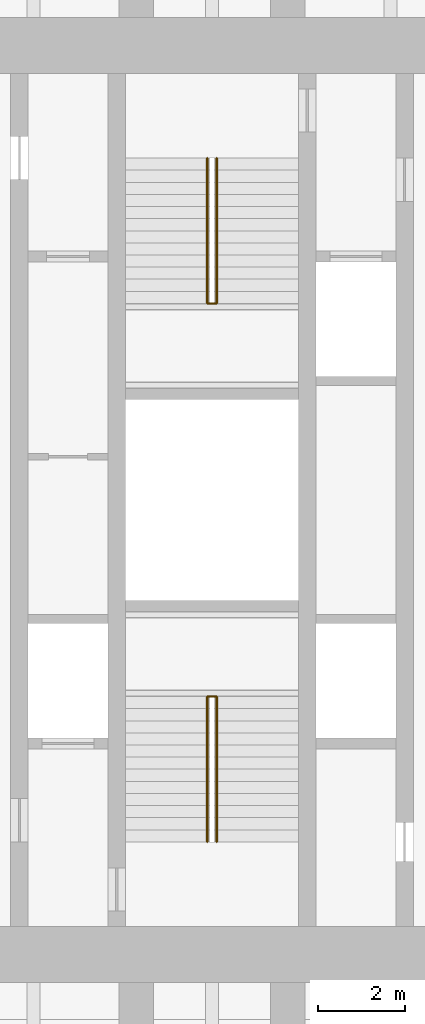
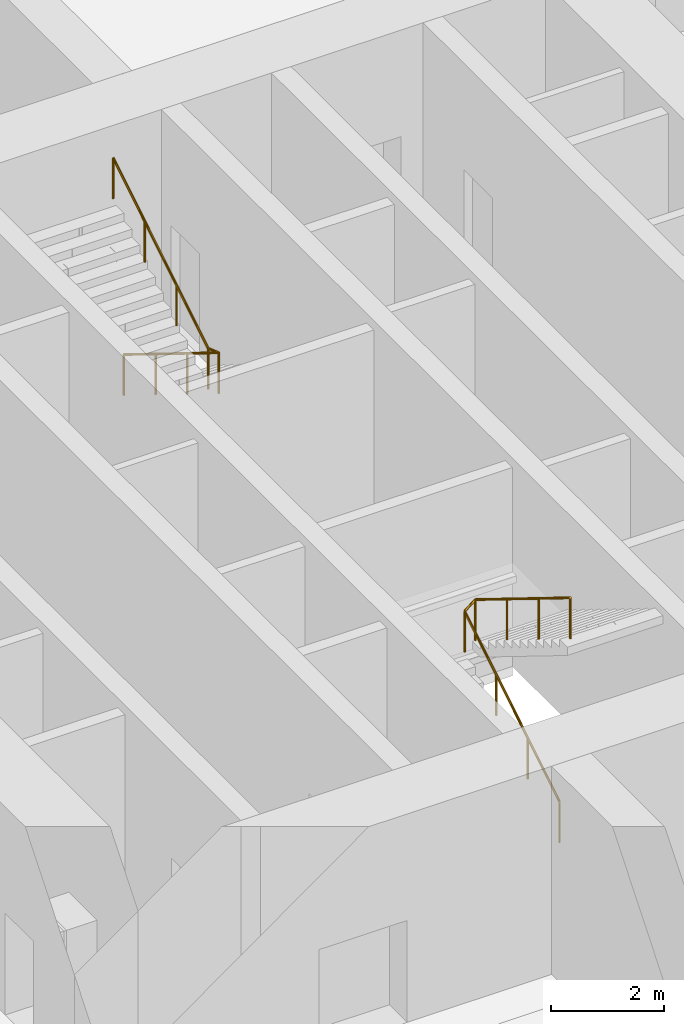
# One storey, part 21 of 21: 2 railings.
"""IFC4 building model written with IfcOpenShell, lengths in metres."""

from ifc_helpers import new_model, si_unit, direction, frame, origin, origin_2d, place, context, subcontext, project, spatial, circle, extrude, material, type_object, element, save


model = new_model("IFC4")

# Units and contexts
model_context = context("Model", 3, precision=1e-05, world=origin(), true_north=direction((0.0, 1.0)))
body_context = subcontext(model_context, "Body", "Model", "MODEL_VIEW")
ifc_project = project(units=[si_unit("LENGTHUNIT", "METRE"), si_unit("AREAUNIT", "SQUARE_METRE"), si_unit("VOLUMEUNIT", "CUBIC_METRE"), si_unit("PLANEANGLEUNIT", "RADIAN"), si_unit("MASSUNIT", "GRAM", prefix="KILO")], contexts=[model_context])

# Site, building, storey
site_placement = place(None, origin())
site = spatial("IfcSite", under=ifc_project, at=site_placement, CompositionType="ELEMENT")
building_placement = place(site_placement, origin())
building = spatial("IfcBuilding", under=site, at=building_placement, Name="Mizan Broadcast Tower", CompositionType="ELEMENT")
storey_placement = place(building_placement, frame((0.0, 0.0, 33.0)))
storey = spatial("IfcBuildingStorey", under=building, at=storey_placement, Name="L05", CompositionType="ELEMENT", Elevation=33.0)

# Railings
ifc_material = material(Name="Stainless steel", Category="steel")
railing_type = type_object("IfcRailingType", Name="HANDRAIL 50", PredefinedType="HANDRAIL", material=ifc_material)
railing_1_placement = place(storey_placement, frame((-0.110107421875, -7.89990234375, 0.173095703125)))
element("IfcRailing", 1, at=railing_1_placement, inside=storey, type_object=railing_type, Name="Stair A handrail", PredefinedType="HANDRAIL", context=body_context, shape_type="SweptSolid", body=[
    extrude(circle(Radius=0.02392578125, at=origin_2d()), frame((0.0, 0.0, 0.8759765625), z_axis=(0.0, 0.850606129759, 0.525803396734), x_axis=(-1.0, 0.0, 0.0)), (0.0, 0.0, 1.0), 3.949951171875),
    extrude(circle(Radius=0.02392578125, at=origin_2d()), frame((0.0, 3.35986328125, 2.95263671875), z_axis=(0.786197342391, 0.0, 0.617975516358), x_axis=(0.0, 1.0, 0.0)), (0.0, 0.0, 1.0), 0.280029296875),
    extrude(circle(Radius=0.02392578125, at=origin_2d()), frame((0.22021484375, 3.35986328125, 3.1259765625), z_axis=(0.0, -0.850606129759, 0.525803396734), x_axis=(1.0, 0.0, 0.0)), (0.0, 0.0, 1.0), 3.949951171875),
    extrude(circle(Radius=0.02099609375, at=origin_2d()), origin(), (0.0, 0.0, 1.0), 0.851806640625),
    extrude(circle(Radius=0.02099609375, at=origin_2d()), frame((0.0, 1.119873046875, 0.6923828125)), (0.0, 0.0, 1.0), 0.851806640625),
    extrude(circle(Radius=0.02099609375, at=origin_2d()), frame((0.0, 2.239990234375, 1.384521484375)), (0.0, 0.0, 1.0), 0.851806640625),
    extrude(circle(Radius=0.02099609375, at=origin_2d()), frame((0.0, 3.35986328125, 2.076904296875)), (0.0, 0.0, 1.0), 0.851806640625),
    extrude(circle(Radius=0.02099609375, at=origin_2d()), frame((0.22021484375, 3.35986328125, 2.25)), (0.0, 0.0, 1.0), 0.851806640625),
    extrude(circle(Radius=0.02099609375, at=origin_2d()), frame((0.22021484375, 2.239990234375, 2.9423828125)), (0.0, 0.0, 1.0), 0.851806640625),
    extrude(circle(Radius=0.02099609375, at=origin_2d()), frame((0.22021484375, 1.119873046875, 3.634521484375)), (0.0, 0.0, 1.0), 0.851806640625),
    extrude(circle(Radius=0.02099609375, at=origin_2d()), frame((0.22021484375, 0.0, 4.326904296875)), (0.0, 0.0, 1.0), 0.851806640625),
])
railing_2_placement = place(storey_placement, frame((0.110107421875, 7.89990234375, 0.173095703125)))
element("IfcRailing", 2, at=railing_2_placement, inside=storey, type_object=railing_type, Name="Stair B handrail", PredefinedType="HANDRAIL", context=body_context, shape_type="SweptSolid", body=[
    extrude(circle(Radius=0.02392578125, at=origin_2d()), frame((0.0, 0.0, 0.8759765625), z_axis=(0.0, -0.850606129759, 0.525803396734), x_axis=(1.0, 0.0, 0.0)), (0.0, 0.0, 1.0), 3.949951171875),
    extrude(circle(Radius=0.02392578125, at=origin_2d()), frame((0.0, -3.35986328125, 2.95263671875), z_axis=(-0.786197342391, 0.0, 0.617975516358), x_axis=(0.0, -1.0, 0.0)), (0.0, 0.0, 1.0), 0.280029296875),
    extrude(circle(Radius=0.02392578125, at=origin_2d()), frame((-0.22021484375, -3.35986328125, 3.1259765625), z_axis=(0.0, 0.850606129759, 0.525803396734), x_axis=(-1.0, 0.0, 0.0)), (0.0, 0.0, 1.0), 3.949951171875),
    extrude(circle(Radius=0.02099609375, at=origin_2d()), origin(), (0.0, 0.0, 1.0), 0.851806640625),
    extrude(circle(Radius=0.02099609375, at=origin_2d()), frame((0.0, -1.119873046875, 0.6923828125)), (0.0, 0.0, 1.0), 0.851806640625),
    extrude(circle(Radius=0.02099609375, at=origin_2d()), frame((0.0, -2.239990234375, 1.384521484375)), (0.0, 0.0, 1.0), 0.851806640625),
    extrude(circle(Radius=0.02099609375, at=origin_2d()), frame((0.0, -3.35986328125, 2.076904296875)), (0.0, 0.0, 1.0), 0.851806640625),
    extrude(circle(Radius=0.02099609375, at=origin_2d()), frame((-0.22021484375, -3.35986328125, 2.25)), (0.0, 0.0, 1.0), 0.851806640625),
    extrude(circle(Radius=0.02099609375, at=origin_2d()), frame((-0.22021484375, -2.239990234375, 2.9423828125)), (0.0, 0.0, 1.0), 0.851806640625),
    extrude(circle(Radius=0.02099609375, at=origin_2d()), frame((-0.22021484375, -1.119873046875, 3.634521484375)), (0.0, 0.0, 1.0), 0.851806640625),
    extrude(circle(Radius=0.02099609375, at=origin_2d()), frame((-0.22021484375, 0.0, 4.326904296875)), (0.0, 0.0, 1.0), 0.851806640625),
])

save(model, "model.ifc")
